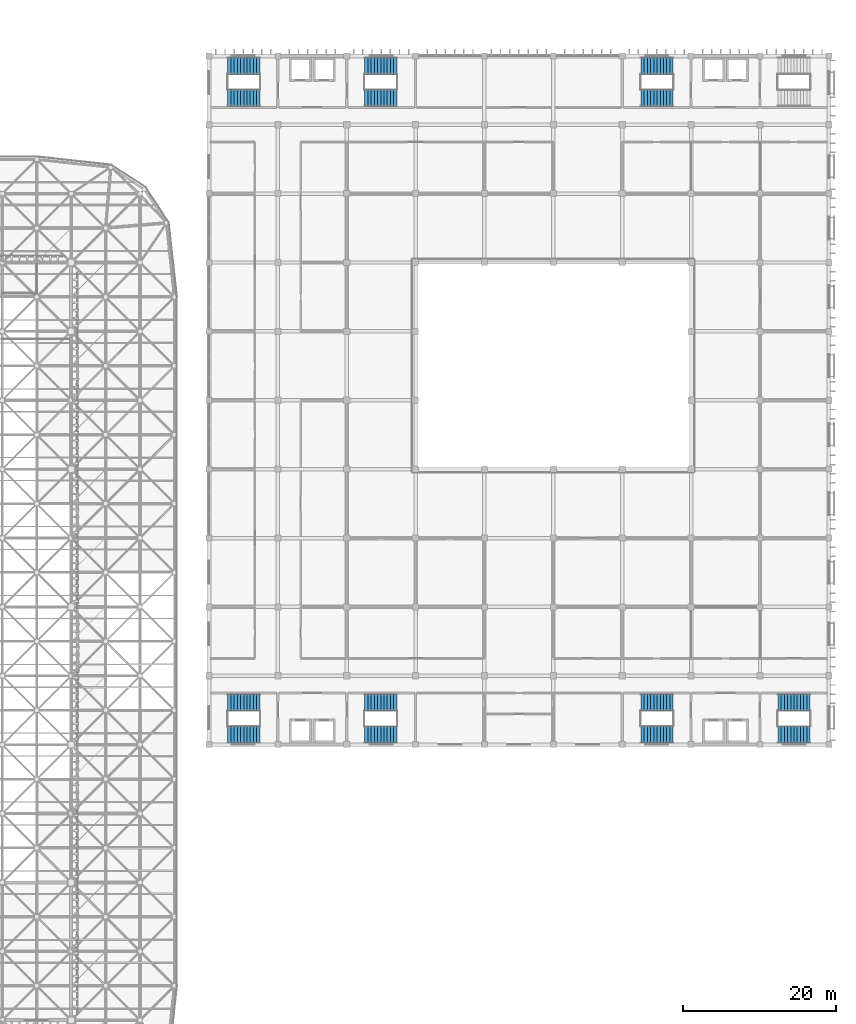
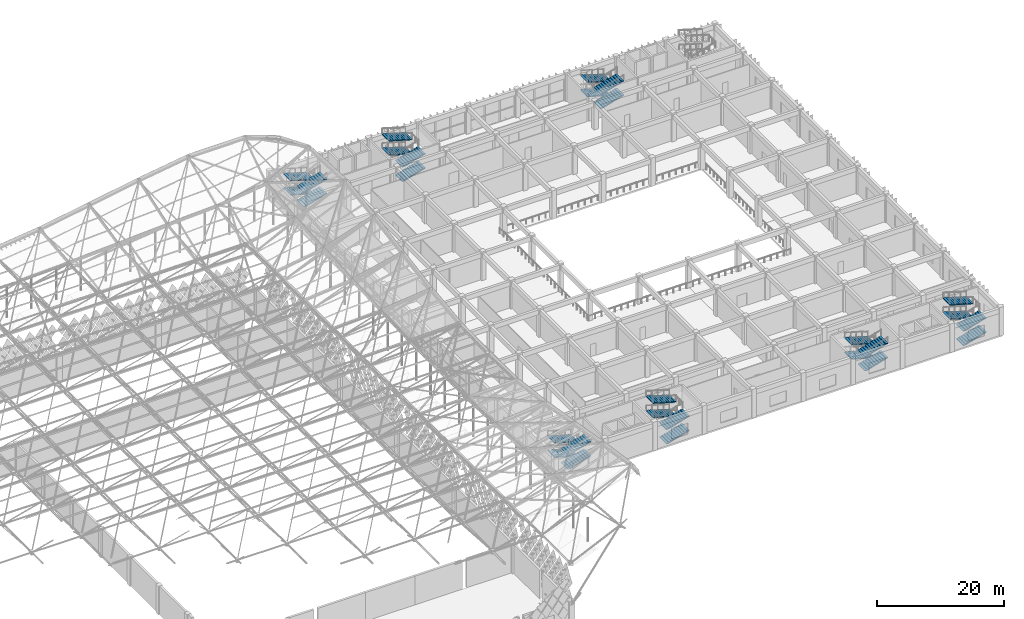
# One storey, part 283 of 437: 28 stair flights, 7 elements without a shape of their own.
"""IFC4 building model written with IfcOpenShell, lengths in metres."""

from ifc_helpers import new_model, si_unit, direction, frame, origin, place, context, subcontext, project, spatial, polyline, outline, extrude, material, type_object, element, aggregate, save


model = new_model("IFC4")

# Units and contexts
model_context = context("Model", 3, precision=1e-05, world=origin(), true_north=direction((0.0, 1.0)))
body_context = subcontext(model_context, "Body", "Model", "MODEL_VIEW")
ifc_project = project(units=[si_unit("LENGTHUNIT", "METRE"), si_unit("AREAUNIT", "SQUARE_METRE"), si_unit("VOLUMEUNIT", "CUBIC_METRE"), si_unit("PLANEANGLEUNIT", "RADIAN"), si_unit("MASSUNIT", "GRAM", prefix="KILO")], contexts=[model_context])

# Site, building, storey
site_placement = place(None, origin())
site = spatial("IfcSite", under=ifc_project, at=site_placement, CompositionType="ELEMENT")
building_placement = place(site_placement, origin())
building = spatial("IfcBuilding", under=site, at=building_placement, Name="Opaline Strait Convention Centre", CompositionType="ELEMENT")
storey_placement = place(building_placement, frame((0.0, 0.0, 11.5)))
storey = spatial("IfcBuildingStorey", under=building, at=storey_placement, Name="L02", CompositionType="ELEMENT", Elevation=11.5)

# Stair, stair flights
ifc_material = material(Name="Concrete C40", Category="concrete")
stair_type = type_object("IfcStairType", Name="Escape stair half-turn 2200 concrete C40", PredefinedType="HALF_TURN_STAIR", material=ifc_material)
stair_1_placement = place(storey_placement, origin())
stair_1 = element("IfcStair", 1, at=stair_1_placement, inside=storey, type_object=stair_type, Name="L02 Stair S1-MTG", ObjectType="MST1", PredefinedType="HALF_TURN_STAIR")
stair_flight_type = type_object("IfcStairFlightType", Name="Stair flight 2200 concrete C40", PredefinedType="STRAIGHT", material=ifc_material)
stair_flight_1_placement = place(storey_placement, frame((285.650146484375, 95.5, 0.0), z_axis=(0.0, 0.0, 1.0), x_axis=(-1.0, 0.0, 0.0)))
stair_flight_1 = element("IfcStairFlight", 2, at=stair_flight_1_placement, type_object=stair_flight_type, Name="S1 flight 1", ObjectType="MSF2", NumberOfRisers=11, NumberOfTreads=10, PredefinedType="STRAIGHT", RiserHeight=0.125, TreadLength=0.42, context=body_context, shape_type="SweptSolid", body=[
    extrude(outline(polyline([(0.0, 0.0), (0.0, 0.125), (0.419921875, 0.125), (0.419921875, 0.25), (0.840087890625, 0.25), (0.840087890625, 0.375), (1.260009765625, 0.375), (1.260009765625, 0.5), (1.679931640625, 0.5), (1.679931640625, 0.625), (2.10009765625, 0.625), (2.10009765625, 0.75), (2.52001953125, 0.75), (2.52001953125, 0.875), (2.93994140625, 0.875), (2.93994140625, 1.0), (3.360107421875, 1.0), (3.360107421875, 1.125), (3.780029296875, 1.125), (3.780029296875, 1.25), (4.199951171875, 1.25), (4.199951171875, 1.375), (4.199951171875, 1.093505859375), (0.525390625, 0.0), (0.0, 0.0)])), frame((0.0, 1.10009765625, 0.0), z_axis=(0.0, -1.0, 0.0), x_axis=(1.0, 0.0, 0.0)), (0.0, 0.0, 1.0), 2.199951171875),
])
stair_flight_2_placement = place(storey_placement, frame((281.4501953125, 91.300048828125, 1.375), z_axis=(0.0, 0.0, 1.0), x_axis=(1.0, 0.0, 0.0)))
stair_flight_2 = element("IfcStairFlight", 3, at=stair_flight_2_placement, type_object=stair_flight_type, Name="S1 flight 2", ObjectType="MSF2", NumberOfRisers=11, NumberOfTreads=10, PredefinedType="STRAIGHT", RiserHeight=0.125, TreadLength=0.42, context=body_context, shape_type="SweptSolid", body=[
    extrude(outline(polyline([(0.0, 0.0), (0.0, 0.125), (0.419921875, 0.125), (0.419921875, 0.25), (0.840087890625, 0.25), (0.840087890625, 0.375), (1.260009765625, 0.375), (1.260009765625, 0.5), (1.679931640625, 0.5), (1.679931640625, 0.625), (2.10009765625, 0.625), (2.10009765625, 0.75), (2.52001953125, 0.75), (2.52001953125, 0.875), (2.93994140625, 0.875), (2.93994140625, 1.0), (3.360107421875, 1.0), (3.360107421875, 1.125), (3.780029296875, 1.125), (3.780029296875, 1.25), (4.199951171875, 1.25), (4.199951171875, 1.375), (4.199951171875, 1.093505859375), (0.525390625, 0.0), (0.0, 0.0)])), frame((0.0, 1.10009765625, 0.0), z_axis=(0.0, -1.0, 0.0), x_axis=(1.0, 0.0, 0.0)), (0.0, 0.0, 1.0), 2.199951171875),
])
stair_flight_3_placement = place(storey_placement, frame((285.650146484375, 95.5, 2.75), z_axis=(0.0, 0.0, 1.0), x_axis=(-1.0, 0.0, 0.0)))
stair_flight_3 = element("IfcStairFlight", 4, at=stair_flight_3_placement, type_object=stair_flight_type, Name="S1 flight 3", ObjectType="MSF2", NumberOfRisers=11, NumberOfTreads=10, PredefinedType="STRAIGHT", RiserHeight=0.125, TreadLength=0.42, context=body_context, shape_type="SweptSolid", body=[
    extrude(outline(polyline([(0.0, 0.0), (0.0, 0.125), (0.419921875, 0.125), (0.419921875, 0.25), (0.840087890625, 0.25), (0.840087890625, 0.375), (1.260009765625, 0.375), (1.260009765625, 0.5), (1.679931640625, 0.5), (1.679931640625, 0.625), (2.10009765625, 0.625), (2.10009765625, 0.75), (2.52001953125, 0.75), (2.52001953125, 0.875), (2.93994140625, 0.875), (2.93994140625, 1.0), (3.360107421875, 1.0), (3.360107421875, 1.125), (3.780029296875, 1.125), (3.780029296875, 1.25), (4.199951171875, 1.25), (4.199951171875, 1.375), (4.199951171875, 1.093505859375), (0.525390625, 0.0), (0.0, 0.0)])), frame((0.0, 1.10009765625, 0.0), z_axis=(0.0, -1.0, 0.0), x_axis=(1.0, 0.0, 0.0)), (0.0, 0.0, 1.0), 2.199951171875),
])
stair_flight_4_placement = place(storey_placement, frame((281.4501953125, 91.300048828125, 4.125), z_axis=(0.0, 0.0, 1.0), x_axis=(1.0, 0.0, 0.0)))
stair_flight_4 = element("IfcStairFlight", 5, at=stair_flight_4_placement, type_object=stair_flight_type, Name="S1 flight 4", ObjectType="MSF2", NumberOfRisers=11, NumberOfTreads=10, PredefinedType="STRAIGHT", RiserHeight=0.125, TreadLength=0.42, context=body_context, shape_type="SweptSolid", body=[
    extrude(outline(polyline([(0.0, 0.0), (0.0, 0.125), (0.419921875, 0.125), (0.419921875, 0.25), (0.840087890625, 0.25), (0.840087890625, 0.375), (1.260009765625, 0.375), (1.260009765625, 0.5), (1.679931640625, 0.5), (1.679931640625, 0.625), (2.10009765625, 0.625), (2.10009765625, 0.75), (2.52001953125, 0.75), (2.52001953125, 0.875), (2.93994140625, 0.875), (2.93994140625, 1.0), (3.360107421875, 1.0), (3.360107421875, 1.125), (3.780029296875, 1.125), (3.780029296875, 1.25), (4.199951171875, 1.25), (4.199951171875, 1.375), (4.199951171875, 1.093505859375), (0.525390625, 0.0), (0.0, 0.0)])), frame((0.0, 1.10009765625, 0.0), z_axis=(0.0, -1.0, 0.0), x_axis=(1.0, 0.0, 0.0)), (0.0, 0.0, 1.0), 2.199951171875),
])
aggregate(stair_1, [stair_flight_1, stair_flight_2, stair_flight_3, stair_flight_4])

stair_2_placement = place(storey_placement, origin())
stair_2 = element("IfcStair", 6, at=stair_2_placement, inside=storey, type_object=stair_type, Name="L02 Stair S2-MTG", ObjectType="MST1", PredefinedType="HALF_TURN_STAIR")
stair_flight_5_placement = place(storey_placement, frame((299.349853515625, 91.300048828125, 0.0), z_axis=(0.0, 0.0, 1.0), x_axis=(1.0, 0.0, 0.0)))
stair_flight_5 = element("IfcStairFlight", 7, at=stair_flight_5_placement, type_object=stair_flight_type, Name="S2 flight 1", ObjectType="MSF2", NumberOfRisers=11, NumberOfTreads=10, PredefinedType="STRAIGHT", RiserHeight=0.125, TreadLength=0.42, context=body_context, shape_type="SweptSolid", body=[
    extrude(outline(polyline([(0.0, 0.0), (0.0, 0.125), (0.419921875, 0.125), (0.419921875, 0.25), (0.840087890625, 0.25), (0.840087890625, 0.375), (1.260009765625, 0.375), (1.260009765625, 0.5), (1.679931640625, 0.5), (1.679931640625, 0.625), (2.10009765625, 0.625), (2.10009765625, 0.75), (2.52001953125, 0.75), (2.52001953125, 0.875), (2.93994140625, 0.875), (2.93994140625, 1.0), (3.360107421875, 1.0), (3.360107421875, 1.125), (3.780029296875, 1.125), (3.780029296875, 1.25), (4.199951171875, 1.25), (4.199951171875, 1.375), (4.199951171875, 1.093505859375), (0.525390625, 0.0), (0.0, 0.0)])), frame((0.0, 1.10009765625, 0.0), z_axis=(0.0, -1.0, 0.0), x_axis=(1.0, 0.0, 0.0)), (0.0, 0.0, 1.0), 2.199951171875),
])
stair_flight_6_placement = place(storey_placement, frame((303.5498046875, 95.5, 1.375), z_axis=(0.0, 0.0, 1.0), x_axis=(-1.0, 0.0, 0.0)))
stair_flight_6 = element("IfcStairFlight", 8, at=stair_flight_6_placement, type_object=stair_flight_type, Name="S2 flight 2", ObjectType="MSF2", NumberOfRisers=11, NumberOfTreads=10, PredefinedType="STRAIGHT", RiserHeight=0.125, TreadLength=0.42, context=body_context, shape_type="SweptSolid", body=[
    extrude(outline(polyline([(0.0, 0.0), (0.0, 0.125), (0.419921875, 0.125), (0.419921875, 0.25), (0.840087890625, 0.25), (0.840087890625, 0.375), (1.260009765625, 0.375), (1.260009765625, 0.5), (1.679931640625, 0.5), (1.679931640625, 0.625), (2.10009765625, 0.625), (2.10009765625, 0.75), (2.52001953125, 0.75), (2.52001953125, 0.875), (2.93994140625, 0.875), (2.93994140625, 1.0), (3.360107421875, 1.0), (3.360107421875, 1.125), (3.780029296875, 1.125), (3.780029296875, 1.25), (4.199951171875, 1.25), (4.199951171875, 1.375), (4.199951171875, 1.093505859375), (0.525390625, 0.0), (0.0, 0.0)])), frame((0.0, 1.10009765625, 0.0), z_axis=(0.0, -1.0, 0.0), x_axis=(1.0, 0.0, 0.0)), (0.0, 0.0, 1.0), 2.199951171875),
])
stair_flight_7_placement = place(storey_placement, frame((299.349853515625, 91.300048828125, 2.75), z_axis=(0.0, 0.0, 1.0), x_axis=(1.0, 0.0, 0.0)))
stair_flight_7 = element("IfcStairFlight", 9, at=stair_flight_7_placement, type_object=stair_flight_type, Name="S2 flight 3", ObjectType="MSF2", NumberOfRisers=11, NumberOfTreads=10, PredefinedType="STRAIGHT", RiserHeight=0.125, TreadLength=0.42, context=body_context, shape_type="SweptSolid", body=[
    extrude(outline(polyline([(0.0, 0.0), (0.0, 0.125), (0.419921875, 0.125), (0.419921875, 0.25), (0.840087890625, 0.25), (0.840087890625, 0.375), (1.260009765625, 0.375), (1.260009765625, 0.5), (1.679931640625, 0.5), (1.679931640625, 0.625), (2.10009765625, 0.625), (2.10009765625, 0.75), (2.52001953125, 0.75), (2.52001953125, 0.875), (2.93994140625, 0.875), (2.93994140625, 1.0), (3.360107421875, 1.0), (3.360107421875, 1.125), (3.780029296875, 1.125), (3.780029296875, 1.25), (4.199951171875, 1.25), (4.199951171875, 1.375), (4.199951171875, 1.093505859375), (0.525390625, 0.0), (0.0, 0.0)])), frame((0.0, 1.10009765625, 0.0), z_axis=(0.0, -1.0, 0.0), x_axis=(1.0, 0.0, 0.0)), (0.0, 0.0, 1.0), 2.199951171875),
])
stair_flight_8_placement = place(storey_placement, frame((303.5498046875, 95.5, 4.125), z_axis=(0.0, 0.0, 1.0), x_axis=(-1.0, 0.0, 0.0)))
stair_flight_8 = element("IfcStairFlight", 10, at=stair_flight_8_placement, type_object=stair_flight_type, Name="S2 flight 4", ObjectType="MSF2", NumberOfRisers=11, NumberOfTreads=10, PredefinedType="STRAIGHT", RiserHeight=0.125, TreadLength=0.42, context=body_context, shape_type="SweptSolid", body=[
    extrude(outline(polyline([(0.0, 0.0), (0.0, 0.125), (0.419921875, 0.125), (0.419921875, 0.25), (0.840087890625, 0.25), (0.840087890625, 0.375), (1.260009765625, 0.375), (1.260009765625, 0.5), (1.679931640625, 0.5), (1.679931640625, 0.625), (2.10009765625, 0.625), (2.10009765625, 0.75), (2.52001953125, 0.75), (2.52001953125, 0.875), (2.93994140625, 0.875), (2.93994140625, 1.0), (3.360107421875, 1.0), (3.360107421875, 1.125), (3.780029296875, 1.125), (3.780029296875, 1.25), (4.199951171875, 1.25), (4.199951171875, 1.375), (4.199951171875, 1.093505859375), (0.525390625, 0.0), (0.0, 0.0)])), frame((0.0, 1.10009765625, 0.0), z_axis=(0.0, -1.0, 0.0), x_axis=(1.0, 0.0, 0.0)), (0.0, 0.0, 1.0), 2.199951171875),
])
aggregate(stair_2, [stair_flight_5, stair_flight_6, stair_flight_7, stair_flight_8])

stair_3_placement = place(storey_placement, origin())
stair_3 = element("IfcStair", 11, at=stair_3_placement, inside=storey, type_object=stair_type, Name="L02 Stair S3-MTG", ObjectType="MST1", PredefinedType="HALF_TURN_STAIR")
stair_flight_9_placement = place(storey_placement, frame((353.349853515625, 91.300048828125, 0.0), z_axis=(0.0, 0.0, 1.0), x_axis=(1.0, 0.0, 0.0)))
stair_flight_9 = element("IfcStairFlight", 12, at=stair_flight_9_placement, type_object=stair_flight_type, Name="S3 flight 1", ObjectType="MSF2", NumberOfRisers=11, NumberOfTreads=10, PredefinedType="STRAIGHT", RiserHeight=0.125, TreadLength=0.42, context=body_context, shape_type="SweptSolid", body=[
    extrude(outline(polyline([(0.0, 0.0), (0.0, 0.125), (0.419921875, 0.125), (0.419921875, 0.25), (0.840087890625, 0.25), (0.840087890625, 0.375), (1.260009765625, 0.375), (1.260009765625, 0.5), (1.679931640625, 0.5), (1.679931640625, 0.625), (2.10009765625, 0.625), (2.10009765625, 0.75), (2.52001953125, 0.75), (2.52001953125, 0.875), (2.93994140625, 0.875), (2.93994140625, 1.0), (3.360107421875, 1.0), (3.360107421875, 1.125), (3.780029296875, 1.125), (3.780029296875, 1.25), (4.199951171875, 1.25), (4.199951171875, 1.375), (4.199951171875, 1.093505859375), (0.525390625, 0.0), (0.0, 0.0)])), frame((0.0, 1.10009765625, 0.0), z_axis=(0.0, -1.0, 0.0), x_axis=(1.0, 0.0, 0.0)), (0.0, 0.0, 1.0), 2.199951171875),
])
stair_flight_10_placement = place(storey_placement, frame((357.5498046875, 95.5, 1.375), z_axis=(0.0, 0.0, 1.0), x_axis=(-1.0, 0.0, 0.0)))
stair_flight_10 = element("IfcStairFlight", 13, at=stair_flight_10_placement, type_object=stair_flight_type, Name="S3 flight 2", ObjectType="MSF2", NumberOfRisers=11, NumberOfTreads=10, PredefinedType="STRAIGHT", RiserHeight=0.125, TreadLength=0.42, context=body_context, shape_type="SweptSolid", body=[
    extrude(outline(polyline([(0.0, 0.0), (0.0, 0.125), (0.419921875, 0.125), (0.419921875, 0.25), (0.840087890625, 0.25), (0.840087890625, 0.375), (1.260009765625, 0.375), (1.260009765625, 0.5), (1.679931640625, 0.5), (1.679931640625, 0.625), (2.10009765625, 0.625), (2.10009765625, 0.75), (2.52001953125, 0.75), (2.52001953125, 0.875), (2.93994140625, 0.875), (2.93994140625, 1.0), (3.360107421875, 1.0), (3.360107421875, 1.125), (3.780029296875, 1.125), (3.780029296875, 1.25), (4.199951171875, 1.25), (4.199951171875, 1.375), (4.199951171875, 1.093505859375), (0.525390625, 0.0), (0.0, 0.0)])), frame((0.0, 1.10009765625, 0.0), z_axis=(0.0, -1.0, 0.0), x_axis=(1.0, 0.0, 0.0)), (0.0, 0.0, 1.0), 2.199951171875),
])
stair_flight_11_placement = place(storey_placement, frame((353.349853515625, 91.300048828125, 2.75), z_axis=(0.0, 0.0, 1.0), x_axis=(1.0, 0.0, 0.0)))
stair_flight_11 = element("IfcStairFlight", 14, at=stair_flight_11_placement, type_object=stair_flight_type, Name="S3 flight 3", ObjectType="MSF2", NumberOfRisers=11, NumberOfTreads=10, PredefinedType="STRAIGHT", RiserHeight=0.125, TreadLength=0.42, context=body_context, shape_type="SweptSolid", body=[
    extrude(outline(polyline([(0.0, 0.0), (0.0, 0.125), (0.419921875, 0.125), (0.419921875, 0.25), (0.840087890625, 0.25), (0.840087890625, 0.375), (1.260009765625, 0.375), (1.260009765625, 0.5), (1.679931640625, 0.5), (1.679931640625, 0.625), (2.10009765625, 0.625), (2.10009765625, 0.75), (2.52001953125, 0.75), (2.52001953125, 0.875), (2.93994140625, 0.875), (2.93994140625, 1.0), (3.360107421875, 1.0), (3.360107421875, 1.125), (3.780029296875, 1.125), (3.780029296875, 1.25), (4.199951171875, 1.25), (4.199951171875, 1.375), (4.199951171875, 1.093505859375), (0.525390625, 0.0), (0.0, 0.0)])), frame((0.0, 1.10009765625, 0.0), z_axis=(0.0, -1.0, 0.0), x_axis=(1.0, 0.0, 0.0)), (0.0, 0.0, 1.0), 2.199951171875),
])
stair_flight_12_placement = place(storey_placement, frame((357.5498046875, 95.5, 4.125), z_axis=(0.0, 0.0, 1.0), x_axis=(-1.0, 0.0, 0.0)))
stair_flight_12 = element("IfcStairFlight", 15, at=stair_flight_12_placement, type_object=stair_flight_type, Name="S3 flight 4", ObjectType="MSF2", NumberOfRisers=11, NumberOfTreads=10, PredefinedType="STRAIGHT", RiserHeight=0.125, TreadLength=0.42, context=body_context, shape_type="SweptSolid", body=[
    extrude(outline(polyline([(0.0, 0.0), (0.0, 0.125), (0.419921875, 0.125), (0.419921875, 0.25), (0.840087890625, 0.25), (0.840087890625, 0.375), (1.260009765625, 0.375), (1.260009765625, 0.5), (1.679931640625, 0.5), (1.679931640625, 0.625), (2.10009765625, 0.625), (2.10009765625, 0.75), (2.52001953125, 0.75), (2.52001953125, 0.875), (2.93994140625, 0.875), (2.93994140625, 1.0), (3.360107421875, 1.0), (3.360107421875, 1.125), (3.780029296875, 1.125), (3.780029296875, 1.25), (4.199951171875, 1.25), (4.199951171875, 1.375), (4.199951171875, 1.093505859375), (0.525390625, 0.0), (0.0, 0.0)])), frame((0.0, 1.10009765625, 0.0), z_axis=(0.0, -1.0, 0.0), x_axis=(1.0, 0.0, 0.0)), (0.0, 0.0, 1.0), 2.199951171875),
])
aggregate(stair_3, [stair_flight_9, stair_flight_10, stair_flight_11, stair_flight_12])

stair_4_placement = place(storey_placement, origin())
stair_4 = element("IfcStair", 16, at=stair_4_placement, inside=storey, type_object=stair_type, Name="L02 Stair S4-MTG", ObjectType="MST1", PredefinedType="HALF_TURN_STAIR")
stair_flight_13_placement = place(storey_placement, frame((339.650146484375, 95.5, 0.0), z_axis=(0.0, 0.0, 1.0), x_axis=(-1.0, 0.0, 0.0)))
stair_flight_13 = element("IfcStairFlight", 17, at=stair_flight_13_placement, type_object=stair_flight_type, Name="S4 flight 1", ObjectType="MSF2", NumberOfRisers=11, NumberOfTreads=10, PredefinedType="STRAIGHT", RiserHeight=0.125, TreadLength=0.42, context=body_context, shape_type="SweptSolid", body=[
    extrude(outline(polyline([(0.0, 0.0), (0.0, 0.125), (0.419921875, 0.125), (0.419921875, 0.25), (0.840087890625, 0.25), (0.840087890625, 0.375), (1.260009765625, 0.375), (1.260009765625, 0.5), (1.679931640625, 0.5), (1.679931640625, 0.625), (2.10009765625, 0.625), (2.10009765625, 0.75), (2.52001953125, 0.75), (2.52001953125, 0.875), (2.93994140625, 0.875), (2.93994140625, 1.0), (3.360107421875, 1.0), (3.360107421875, 1.125), (3.780029296875, 1.125), (3.780029296875, 1.25), (4.199951171875, 1.25), (4.199951171875, 1.375), (4.199951171875, 1.093505859375), (0.525390625, 0.0), (0.0, 0.0)])), frame((0.0, 1.10009765625, 0.0), z_axis=(0.0, -1.0, 0.0), x_axis=(1.0, 0.0, 0.0)), (0.0, 0.0, 1.0), 2.199951171875),
])
stair_flight_14_placement = place(storey_placement, frame((335.4501953125, 91.300048828125, 1.375), z_axis=(0.0, 0.0, 1.0), x_axis=(1.0, 0.0, 0.0)))
stair_flight_14 = element("IfcStairFlight", 18, at=stair_flight_14_placement, type_object=stair_flight_type, Name="S4 flight 2", ObjectType="MSF2", NumberOfRisers=11, NumberOfTreads=10, PredefinedType="STRAIGHT", RiserHeight=0.125, TreadLength=0.42, context=body_context, shape_type="SweptSolid", body=[
    extrude(outline(polyline([(0.0, 0.0), (0.0, 0.125), (0.419921875, 0.125), (0.419921875, 0.25), (0.840087890625, 0.25), (0.840087890625, 0.375), (1.260009765625, 0.375), (1.260009765625, 0.5), (1.679931640625, 0.5), (1.679931640625, 0.625), (2.10009765625, 0.625), (2.10009765625, 0.75), (2.52001953125, 0.75), (2.52001953125, 0.875), (2.93994140625, 0.875), (2.93994140625, 1.0), (3.360107421875, 1.0), (3.360107421875, 1.125), (3.780029296875, 1.125), (3.780029296875, 1.25), (4.199951171875, 1.25), (4.199951171875, 1.375), (4.199951171875, 1.093505859375), (0.525390625, 0.0), (0.0, 0.0)])), frame((0.0, 1.10009765625, 0.0), z_axis=(0.0, -1.0, 0.0), x_axis=(1.0, 0.0, 0.0)), (0.0, 0.0, 1.0), 2.199951171875),
])
stair_flight_15_placement = place(storey_placement, frame((339.650146484375, 95.5, 2.75), z_axis=(0.0, 0.0, 1.0), x_axis=(-1.0, 0.0, 0.0)))
stair_flight_15 = element("IfcStairFlight", 19, at=stair_flight_15_placement, type_object=stair_flight_type, Name="S4 flight 3", ObjectType="MSF2", NumberOfRisers=11, NumberOfTreads=10, PredefinedType="STRAIGHT", RiserHeight=0.125, TreadLength=0.42, context=body_context, shape_type="SweptSolid", body=[
    extrude(outline(polyline([(0.0, 0.0), (0.0, 0.125), (0.419921875, 0.125), (0.419921875, 0.25), (0.840087890625, 0.25), (0.840087890625, 0.375), (1.260009765625, 0.375), (1.260009765625, 0.5), (1.679931640625, 0.5), (1.679931640625, 0.625), (2.10009765625, 0.625), (2.10009765625, 0.75), (2.52001953125, 0.75), (2.52001953125, 0.875), (2.93994140625, 0.875), (2.93994140625, 1.0), (3.360107421875, 1.0), (3.360107421875, 1.125), (3.780029296875, 1.125), (3.780029296875, 1.25), (4.199951171875, 1.25), (4.199951171875, 1.375), (4.199951171875, 1.093505859375), (0.525390625, 0.0), (0.0, 0.0)])), frame((0.0, 1.10009765625, 0.0), z_axis=(0.0, -1.0, 0.0), x_axis=(1.0, 0.0, 0.0)), (0.0, 0.0, 1.0), 2.199951171875),
])
stair_flight_16_placement = place(storey_placement, frame((335.4501953125, 91.300048828125, 4.125), z_axis=(0.0, 0.0, 1.0), x_axis=(1.0, 0.0, 0.0)))
stair_flight_16 = element("IfcStairFlight", 20, at=stair_flight_16_placement, type_object=stair_flight_type, Name="S4 flight 4", ObjectType="MSF2", NumberOfRisers=11, NumberOfTreads=10, PredefinedType="STRAIGHT", RiserHeight=0.125, TreadLength=0.42, context=body_context, shape_type="SweptSolid", body=[
    extrude(outline(polyline([(0.0, 0.0), (0.0, 0.125), (0.419921875, 0.125), (0.419921875, 0.25), (0.840087890625, 0.25), (0.840087890625, 0.375), (1.260009765625, 0.375), (1.260009765625, 0.5), (1.679931640625, 0.5), (1.679931640625, 0.625), (2.10009765625, 0.625), (2.10009765625, 0.75), (2.52001953125, 0.75), (2.52001953125, 0.875), (2.93994140625, 0.875), (2.93994140625, 1.0), (3.360107421875, 1.0), (3.360107421875, 1.125), (3.780029296875, 1.125), (3.780029296875, 1.25), (4.199951171875, 1.25), (4.199951171875, 1.375), (4.199951171875, 1.093505859375), (0.525390625, 0.0), (0.0, 0.0)])), frame((0.0, 1.10009765625, 0.0), z_axis=(0.0, -1.0, 0.0), x_axis=(1.0, 0.0, 0.0)), (0.0, 0.0, 1.0), 2.199951171875),
])
aggregate(stair_4, [stair_flight_13, stair_flight_14, stair_flight_15, stair_flight_16])

stair_5_placement = place(storey_placement, origin())
stair_5 = element("IfcStair", 21, at=stair_5_placement, inside=storey, type_object=stair_type, Name="L02 Stair S5-MTG", ObjectType="MST1", PredefinedType="HALF_TURN_STAIR")
stair_flight_17_placement = place(storey_placement, frame((285.650146484375, 178.699951171875, 0.0), z_axis=(0.0, 0.0, 1.0), x_axis=(-1.0, 0.0, 0.0)))
stair_flight_17 = element("IfcStairFlight", 22, at=stair_flight_17_placement, type_object=stair_flight_type, Name="S5 flight 1", ObjectType="MSF2", NumberOfRisers=11, NumberOfTreads=10, PredefinedType="STRAIGHT", RiserHeight=0.125, TreadLength=0.42, context=body_context, shape_type="SweptSolid", body=[
    extrude(outline(polyline([(0.0, 0.0), (0.0, 0.125), (0.419921875, 0.125), (0.419921875, 0.25), (0.840087890625, 0.25), (0.840087890625, 0.375), (1.260009765625, 0.375), (1.260009765625, 0.5), (1.679931640625, 0.5), (1.679931640625, 0.625), (2.10009765625, 0.625), (2.10009765625, 0.75), (2.52001953125, 0.75), (2.52001953125, 0.875), (2.93994140625, 0.875), (2.93994140625, 1.0), (3.360107421875, 1.0), (3.360107421875, 1.125), (3.780029296875, 1.125), (3.780029296875, 1.25), (4.199951171875, 1.25), (4.199951171875, 1.375), (4.199951171875, 1.093505859375), (0.525390625, 0.0), (0.0, 0.0)])), frame((0.0, 1.10009765625, 0.0), z_axis=(0.0, -1.0, 0.0), x_axis=(1.0, 0.0, 0.0)), (0.0, 0.0, 1.0), 2.199951171875),
])
stair_flight_18_placement = place(storey_placement, frame((281.4501953125, 174.5, 1.375), z_axis=(0.0, 0.0, 1.0), x_axis=(1.0, 0.0, 0.0)))
stair_flight_18 = element("IfcStairFlight", 23, at=stair_flight_18_placement, type_object=stair_flight_type, Name="S5 flight 2", ObjectType="MSF2", NumberOfRisers=11, NumberOfTreads=10, PredefinedType="STRAIGHT", RiserHeight=0.125, TreadLength=0.42, context=body_context, shape_type="SweptSolid", body=[
    extrude(outline(polyline([(0.0, 0.0), (0.0, 0.125), (0.419921875, 0.125), (0.419921875, 0.25), (0.840087890625, 0.25), (0.840087890625, 0.375), (1.260009765625, 0.375), (1.260009765625, 0.5), (1.679931640625, 0.5), (1.679931640625, 0.625), (2.10009765625, 0.625), (2.10009765625, 0.75), (2.52001953125, 0.75), (2.52001953125, 0.875), (2.93994140625, 0.875), (2.93994140625, 1.0), (3.360107421875, 1.0), (3.360107421875, 1.125), (3.780029296875, 1.125), (3.780029296875, 1.25), (4.199951171875, 1.25), (4.199951171875, 1.375), (4.199951171875, 1.093505859375), (0.525390625, 0.0), (0.0, 0.0)])), frame((0.0, 1.10009765625, 0.0), z_axis=(0.0, -1.0, 0.0), x_axis=(1.0, 0.0, 0.0)), (0.0, 0.0, 1.0), 2.199951171875),
])
stair_flight_19_placement = place(storey_placement, frame((285.650146484375, 178.699951171875, 2.75), z_axis=(0.0, 0.0, 1.0), x_axis=(-1.0, 0.0, 0.0)))
stair_flight_19 = element("IfcStairFlight", 24, at=stair_flight_19_placement, type_object=stair_flight_type, Name="S5 flight 3", ObjectType="MSF2", NumberOfRisers=11, NumberOfTreads=10, PredefinedType="STRAIGHT", RiserHeight=0.125, TreadLength=0.42, context=body_context, shape_type="SweptSolid", body=[
    extrude(outline(polyline([(0.0, 0.0), (0.0, 0.125), (0.419921875, 0.125), (0.419921875, 0.25), (0.840087890625, 0.25), (0.840087890625, 0.375), (1.260009765625, 0.375), (1.260009765625, 0.5), (1.679931640625, 0.5), (1.679931640625, 0.625), (2.10009765625, 0.625), (2.10009765625, 0.75), (2.52001953125, 0.75), (2.52001953125, 0.875), (2.93994140625, 0.875), (2.93994140625, 1.0), (3.360107421875, 1.0), (3.360107421875, 1.125), (3.780029296875, 1.125), (3.780029296875, 1.25), (4.199951171875, 1.25), (4.199951171875, 1.375), (4.199951171875, 1.093505859375), (0.525390625, 0.0), (0.0, 0.0)])), frame((0.0, 1.10009765625, 0.0), z_axis=(0.0, -1.0, 0.0), x_axis=(1.0, 0.0, 0.0)), (0.0, 0.0, 1.0), 2.199951171875),
])
stair_flight_20_placement = place(storey_placement, frame((281.4501953125, 174.5, 4.125), z_axis=(0.0, 0.0, 1.0), x_axis=(1.0, 0.0, 0.0)))
stair_flight_20 = element("IfcStairFlight", 25, at=stair_flight_20_placement, type_object=stair_flight_type, Name="S5 flight 4", ObjectType="MSF2", NumberOfRisers=11, NumberOfTreads=10, PredefinedType="STRAIGHT", RiserHeight=0.125, TreadLength=0.42, context=body_context, shape_type="SweptSolid", body=[
    extrude(outline(polyline([(0.0, 0.0), (0.0, 0.125), (0.419921875, 0.125), (0.419921875, 0.25), (0.840087890625, 0.25), (0.840087890625, 0.375), (1.260009765625, 0.375), (1.260009765625, 0.5), (1.679931640625, 0.5), (1.679931640625, 0.625), (2.10009765625, 0.625), (2.10009765625, 0.75), (2.52001953125, 0.75), (2.52001953125, 0.875), (2.93994140625, 0.875), (2.93994140625, 1.0), (3.360107421875, 1.0), (3.360107421875, 1.125), (3.780029296875, 1.125), (3.780029296875, 1.25), (4.199951171875, 1.25), (4.199951171875, 1.375), (4.199951171875, 1.093505859375), (0.525390625, 0.0), (0.0, 0.0)])), frame((0.0, 1.10009765625, 0.0), z_axis=(0.0, -1.0, 0.0), x_axis=(1.0, 0.0, 0.0)), (0.0, 0.0, 1.0), 2.199951171875),
])
aggregate(stair_5, [stair_flight_17, stair_flight_18, stair_flight_19, stair_flight_20])

stair_6_placement = place(storey_placement, origin())
stair_6 = element("IfcStair", 26, at=stair_6_placement, inside=storey, type_object=stair_type, Name="L02 Stair S6-MTG", ObjectType="MST1", PredefinedType="HALF_TURN_STAIR")
stair_flight_21_placement = place(storey_placement, frame((299.349853515625, 174.5, 0.0), z_axis=(0.0, 0.0, 1.0), x_axis=(1.0, 0.0, 0.0)))
stair_flight_21 = element("IfcStairFlight", 27, at=stair_flight_21_placement, type_object=stair_flight_type, Name="S6 flight 1", ObjectType="MSF2", NumberOfRisers=11, NumberOfTreads=10, PredefinedType="STRAIGHT", RiserHeight=0.125, TreadLength=0.42, context=body_context, shape_type="SweptSolid", body=[
    extrude(outline(polyline([(0.0, 0.0), (0.0, 0.125), (0.419921875, 0.125), (0.419921875, 0.25), (0.840087890625, 0.25), (0.840087890625, 0.375), (1.260009765625, 0.375), (1.260009765625, 0.5), (1.679931640625, 0.5), (1.679931640625, 0.625), (2.10009765625, 0.625), (2.10009765625, 0.75), (2.52001953125, 0.75), (2.52001953125, 0.875), (2.93994140625, 0.875), (2.93994140625, 1.0), (3.360107421875, 1.0), (3.360107421875, 1.125), (3.780029296875, 1.125), (3.780029296875, 1.25), (4.199951171875, 1.25), (4.199951171875, 1.375), (4.199951171875, 1.093505859375), (0.525390625, 0.0), (0.0, 0.0)])), frame((0.0, 1.10009765625, 0.0), z_axis=(0.0, -1.0, 0.0), x_axis=(1.0, 0.0, 0.0)), (0.0, 0.0, 1.0), 2.199951171875),
])
stair_flight_22_placement = place(storey_placement, frame((303.5498046875, 178.699951171875, 1.375), z_axis=(0.0, 0.0, 1.0), x_axis=(-1.0, 0.0, 0.0)))
stair_flight_22 = element("IfcStairFlight", 28, at=stair_flight_22_placement, type_object=stair_flight_type, Name="S6 flight 2", ObjectType="MSF2", NumberOfRisers=11, NumberOfTreads=10, PredefinedType="STRAIGHT", RiserHeight=0.125, TreadLength=0.42, context=body_context, shape_type="SweptSolid", body=[
    extrude(outline(polyline([(0.0, 0.0), (0.0, 0.125), (0.419921875, 0.125), (0.419921875, 0.25), (0.840087890625, 0.25), (0.840087890625, 0.375), (1.260009765625, 0.375), (1.260009765625, 0.5), (1.679931640625, 0.5), (1.679931640625, 0.625), (2.10009765625, 0.625), (2.10009765625, 0.75), (2.52001953125, 0.75), (2.52001953125, 0.875), (2.93994140625, 0.875), (2.93994140625, 1.0), (3.360107421875, 1.0), (3.360107421875, 1.125), (3.780029296875, 1.125), (3.780029296875, 1.25), (4.199951171875, 1.25), (4.199951171875, 1.375), (4.199951171875, 1.093505859375), (0.525390625, 0.0), (0.0, 0.0)])), frame((0.0, 1.10009765625, 0.0), z_axis=(0.0, -1.0, 0.0), x_axis=(1.0, 0.0, 0.0)), (0.0, 0.0, 1.0), 2.199951171875),
])
stair_flight_23_placement = place(storey_placement, frame((299.349853515625, 174.5, 2.75), z_axis=(0.0, 0.0, 1.0), x_axis=(1.0, 0.0, 0.0)))
stair_flight_23 = element("IfcStairFlight", 29, at=stair_flight_23_placement, type_object=stair_flight_type, Name="S6 flight 3", ObjectType="MSF2", NumberOfRisers=11, NumberOfTreads=10, PredefinedType="STRAIGHT", RiserHeight=0.125, TreadLength=0.42, context=body_context, shape_type="SweptSolid", body=[
    extrude(outline(polyline([(0.0, 0.0), (0.0, 0.125), (0.419921875, 0.125), (0.419921875, 0.25), (0.840087890625, 0.25), (0.840087890625, 0.375), (1.260009765625, 0.375), (1.260009765625, 0.5), (1.679931640625, 0.5), (1.679931640625, 0.625), (2.10009765625, 0.625), (2.10009765625, 0.75), (2.52001953125, 0.75), (2.52001953125, 0.875), (2.93994140625, 0.875), (2.93994140625, 1.0), (3.360107421875, 1.0), (3.360107421875, 1.125), (3.780029296875, 1.125), (3.780029296875, 1.25), (4.199951171875, 1.25), (4.199951171875, 1.375), (4.199951171875, 1.093505859375), (0.525390625, 0.0), (0.0, 0.0)])), frame((0.0, 1.10009765625, 0.0), z_axis=(0.0, -1.0, 0.0), x_axis=(1.0, 0.0, 0.0)), (0.0, 0.0, 1.0), 2.199951171875),
])
stair_flight_24_placement = place(storey_placement, frame((303.5498046875, 178.699951171875, 4.125), z_axis=(0.0, 0.0, 1.0), x_axis=(-1.0, 0.0, 0.0)))
stair_flight_24 = element("IfcStairFlight", 30, at=stair_flight_24_placement, type_object=stair_flight_type, Name="S6 flight 4", ObjectType="MSF2", NumberOfRisers=11, NumberOfTreads=10, PredefinedType="STRAIGHT", RiserHeight=0.125, TreadLength=0.42, context=body_context, shape_type="SweptSolid", body=[
    extrude(outline(polyline([(0.0, 0.0), (0.0, 0.125), (0.419921875, 0.125), (0.419921875, 0.25), (0.840087890625, 0.25), (0.840087890625, 0.375), (1.260009765625, 0.375), (1.260009765625, 0.5), (1.679931640625, 0.5), (1.679931640625, 0.625), (2.10009765625, 0.625), (2.10009765625, 0.75), (2.52001953125, 0.75), (2.52001953125, 0.875), (2.93994140625, 0.875), (2.93994140625, 1.0), (3.360107421875, 1.0), (3.360107421875, 1.125), (3.780029296875, 1.125), (3.780029296875, 1.25), (4.199951171875, 1.25), (4.199951171875, 1.375), (4.199951171875, 1.093505859375), (0.525390625, 0.0), (0.0, 0.0)])), frame((0.0, 1.10009765625, 0.0), z_axis=(0.0, -1.0, 0.0), x_axis=(1.0, 0.0, 0.0)), (0.0, 0.0, 1.0), 2.199951171875),
])
aggregate(stair_6, [stair_flight_21, stair_flight_22, stair_flight_23, stair_flight_24])

stair_7_placement = place(storey_placement, origin())
stair_7 = element("IfcStair", 31, at=stair_7_placement, inside=storey, type_object=stair_type, Name="L02 Stair S8-MTG", ObjectType="MST1", PredefinedType="HALF_TURN_STAIR")
stair_flight_25_placement = place(storey_placement, frame((339.650146484375, 178.699951171875, 0.0), z_axis=(0.0, 0.0, 1.0), x_axis=(-1.0, 0.0, 0.0)))
stair_flight_25 = element("IfcStairFlight", 32, at=stair_flight_25_placement, type_object=stair_flight_type, Name="S8 flight 1", ObjectType="MSF2", NumberOfRisers=11, NumberOfTreads=10, PredefinedType="STRAIGHT", RiserHeight=0.125, TreadLength=0.42, context=body_context, shape_type="SweptSolid", body=[
    extrude(outline(polyline([(0.0, 0.0), (0.0, 0.125), (0.419921875, 0.125), (0.419921875, 0.25), (0.840087890625, 0.25), (0.840087890625, 0.375), (1.260009765625, 0.375), (1.260009765625, 0.5), (1.679931640625, 0.5), (1.679931640625, 0.625), (2.10009765625, 0.625), (2.10009765625, 0.75), (2.52001953125, 0.75), (2.52001953125, 0.875), (2.93994140625, 0.875), (2.93994140625, 1.0), (3.360107421875, 1.0), (3.360107421875, 1.125), (3.780029296875, 1.125), (3.780029296875, 1.25), (4.199951171875, 1.25), (4.199951171875, 1.375), (4.199951171875, 1.093505859375), (0.525390625, 0.0), (0.0, 0.0)])), frame((0.0, 1.10009765625, 0.0), z_axis=(0.0, -1.0, 0.0), x_axis=(1.0, 0.0, 0.0)), (0.0, 0.0, 1.0), 2.199951171875),
])
stair_flight_26_placement = place(storey_placement, frame((335.4501953125, 174.5, 1.375), z_axis=(0.0, 0.0, 1.0), x_axis=(1.0, 0.0, 0.0)))
stair_flight_26 = element("IfcStairFlight", 33, at=stair_flight_26_placement, type_object=stair_flight_type, Name="S8 flight 2", ObjectType="MSF2", NumberOfRisers=11, NumberOfTreads=10, PredefinedType="STRAIGHT", RiserHeight=0.125, TreadLength=0.42, context=body_context, shape_type="SweptSolid", body=[
    extrude(outline(polyline([(0.0, 0.0), (0.0, 0.125), (0.419921875, 0.125), (0.419921875, 0.25), (0.840087890625, 0.25), (0.840087890625, 0.375), (1.260009765625, 0.375), (1.260009765625, 0.5), (1.679931640625, 0.5), (1.679931640625, 0.625), (2.10009765625, 0.625), (2.10009765625, 0.75), (2.52001953125, 0.75), (2.52001953125, 0.875), (2.93994140625, 0.875), (2.93994140625, 1.0), (3.360107421875, 1.0), (3.360107421875, 1.125), (3.780029296875, 1.125), (3.780029296875, 1.25), (4.199951171875, 1.25), (4.199951171875, 1.375), (4.199951171875, 1.093505859375), (0.525390625, 0.0), (0.0, 0.0)])), frame((0.0, 1.10009765625, 0.0), z_axis=(0.0, -1.0, 0.0), x_axis=(1.0, 0.0, 0.0)), (0.0, 0.0, 1.0), 2.199951171875),
])
stair_flight_27_placement = place(storey_placement, frame((339.650146484375, 178.699951171875, 2.75), z_axis=(0.0, 0.0, 1.0), x_axis=(-1.0, 0.0, 0.0)))
stair_flight_27 = element("IfcStairFlight", 34, at=stair_flight_27_placement, type_object=stair_flight_type, Name="S8 flight 3", ObjectType="MSF2", NumberOfRisers=11, NumberOfTreads=10, PredefinedType="STRAIGHT", RiserHeight=0.125, TreadLength=0.42, context=body_context, shape_type="SweptSolid", body=[
    extrude(outline(polyline([(0.0, 0.0), (0.0, 0.125), (0.419921875, 0.125), (0.419921875, 0.25), (0.840087890625, 0.25), (0.840087890625, 0.375), (1.260009765625, 0.375), (1.260009765625, 0.5), (1.679931640625, 0.5), (1.679931640625, 0.625), (2.10009765625, 0.625), (2.10009765625, 0.75), (2.52001953125, 0.75), (2.52001953125, 0.875), (2.93994140625, 0.875), (2.93994140625, 1.0), (3.360107421875, 1.0), (3.360107421875, 1.125), (3.780029296875, 1.125), (3.780029296875, 1.25), (4.199951171875, 1.25), (4.199951171875, 1.375), (4.199951171875, 1.093505859375), (0.525390625, 0.0), (0.0, 0.0)])), frame((0.0, 1.10009765625, 0.0), z_axis=(0.0, -1.0, 0.0), x_axis=(1.0, 0.0, 0.0)), (0.0, 0.0, 1.0), 2.199951171875),
])
stair_flight_28_placement = place(storey_placement, frame((335.4501953125, 174.5, 4.125), z_axis=(0.0, 0.0, 1.0), x_axis=(1.0, 0.0, 0.0)))
stair_flight_28 = element("IfcStairFlight", 35, at=stair_flight_28_placement, type_object=stair_flight_type, Name="S8 flight 4", ObjectType="MSF2", NumberOfRisers=11, NumberOfTreads=10, PredefinedType="STRAIGHT", RiserHeight=0.125, TreadLength=0.42, context=body_context, shape_type="SweptSolid", body=[
    extrude(outline(polyline([(0.0, 0.0), (0.0, 0.125), (0.419921875, 0.125), (0.419921875, 0.25), (0.840087890625, 0.25), (0.840087890625, 0.375), (1.260009765625, 0.375), (1.260009765625, 0.5), (1.679931640625, 0.5), (1.679931640625, 0.625), (2.10009765625, 0.625), (2.10009765625, 0.75), (2.52001953125, 0.75), (2.52001953125, 0.875), (2.93994140625, 0.875), (2.93994140625, 1.0), (3.360107421875, 1.0), (3.360107421875, 1.125), (3.780029296875, 1.125), (3.780029296875, 1.25), (4.199951171875, 1.25), (4.199951171875, 1.375), (4.199951171875, 1.093505859375), (0.525390625, 0.0), (0.0, 0.0)])), frame((0.0, 1.10009765625, 0.0), z_axis=(0.0, -1.0, 0.0), x_axis=(1.0, 0.0, 0.0)), (0.0, 0.0, 1.0), 2.199951171875),
])
aggregate(stair_7, [stair_flight_25, stair_flight_26, stair_flight_27, stair_flight_28])

save(model, "model.ifc")
